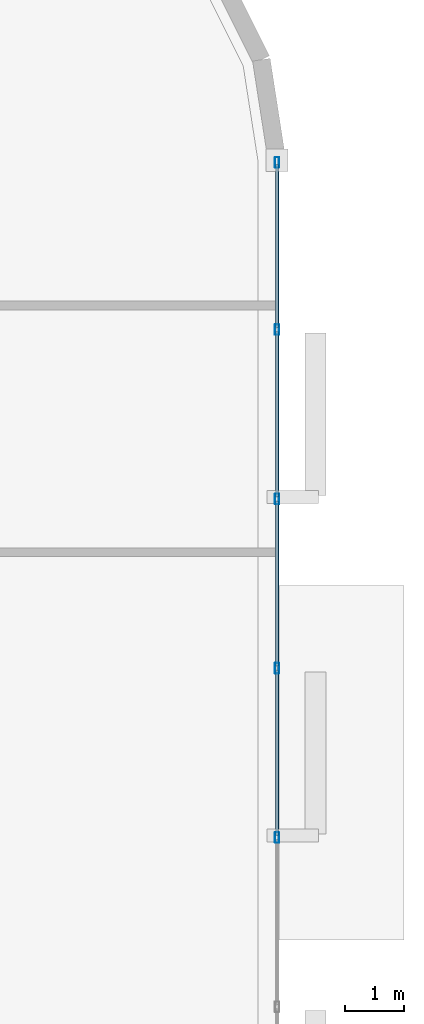
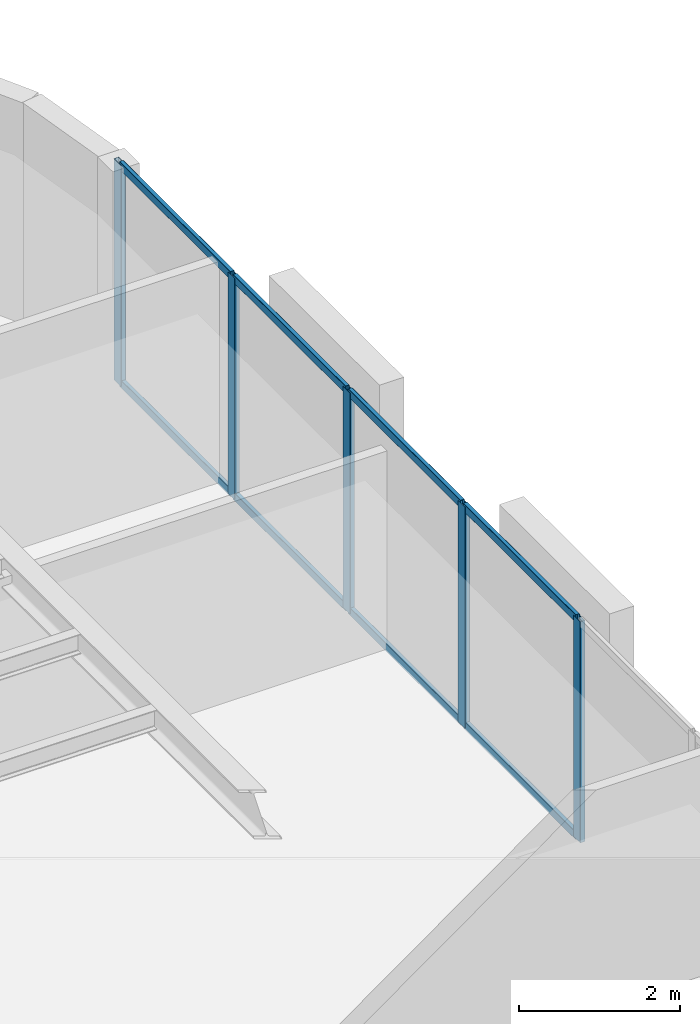
# One storey, part 6 of 15: 13 members, 1 element without a shape of its own.
"""IFC4 building model written with IfcOpenShell, lengths in metres."""

import ifcopenshell
import ifcopenshell.guid

model = None  # the IFC model being written
_history = None  # IfcOwnerHistory: only IFC2X3 demands one
_inside = {}  # id of a spatial element -> (the spatial element, [elements in it])
_under = {}  # id of a project, library or spatial element -> (it, [spatial elements below it])
_declared = {}  # id of a project -> (the project, [libraries it declares])
_typed = {}  # id of a type object -> (the type object, [elements of that type])
_made_of = {}  # id of a material, layer set ... -> (it, [elements and type objects made of it])


def new_model(schema):
    """Start an empty IFC model of exactly this schema.

    Asked for "IFC4X3", IfcOpenShell would pick the latest addendum, in which some entities
    have other attributes; the version numbers below select the first issue.
    IFC2X3 requires an IfcOwnerHistory on every rooted entity: one is made here for all.
    """
    global model, _history
    if schema == "IFC4X3":
        model = ifcopenshell.file(schema_version=(4, 3, 0, 0))
    else:
        model = ifcopenshell.file(schema=schema)
    _inside.clear()
    _under.clear()
    _declared.clear()
    _typed.clear()
    _made_of.clear()
    _history = None
    if model.schema == "IFC2X3":
        org = make("IfcOrganization", Name="unknown")
        user = make(
            "IfcPersonAndOrganization",
            ThePerson=make("IfcPerson", FamilyName="unknown"),
            TheOrganization=org,
        )
        app = make(
            "IfcApplication",
            ApplicationDeveloper=org,
            Version="unknown",
            ApplicationFullName="unknown",
            ApplicationIdentifier="unknown",
        )
        _history = make(
            "IfcOwnerHistory",
            OwningUser=user,
            OwningApplication=app,
            ChangeAction="ADDED",
            CreationDate=0,
        )
    return model


def make(cls, **values):
    """One entity of the class cls with the attributes given. An attribute that is None is left unset."""
    return model.create_entity(
        cls, **{name: value for name, value in values.items() if value is not None}
    )


def rooted(cls, **values):
    """An entity with a GlobalId (a new one), such as an element, a storey or a relation."""
    return make(cls, GlobalId=ifcopenshell.guid.new(), OwnerHistory=_history, **values)


def si_unit(unit_type, name, prefix=None):
    """IfcSIUnit, for example si_unit("LENGTHUNIT", "METRE", prefix="MILLI")."""
    return make("IfcSIUnit", UnitType=unit_type, Prefix=prefix, Name=name)


def assignment(units):
    """IfcUnitAssignment: the units of a project."""
    return None if units is None else make("IfcUnitAssignment", Units=units)


def point(xyz):
    """IfcCartesianPoint."""
    return None if xyz is None else make("IfcCartesianPoint", Coordinates=xyz)


def direction(xyz):
    """IfcDirection."""
    return None if xyz is None else make("IfcDirection", DirectionRatios=xyz)


def frame(location, z_axis=None, x_axis=None):
    """IfcAxis2Placement3D, a coordinate frame: its origin and axes. An axis left out is left unset."""
    return make(
        "IfcAxis2Placement3D",
        Location=point(location),
        Axis=direction(z_axis),
        RefDirection=direction(x_axis),
    )


def frame_2d(location, x_axis=None):
    """IfcAxis2Placement2D, a coordinate frame in the plane: its origin and x axis."""
    return make(
        "IfcAxis2Placement2D", Location=point(location), RefDirection=direction(x_axis)
    )


def origin():
    """The frame at (0, 0, 0) with its axes left unset."""
    return frame((0.0, 0.0, 0.0))


def origin_2d():
    """The frame at (0, 0) in the plane with its x axis left unset."""
    return frame_2d((0.0, 0.0))


def place(relative_to, where):
    """IfcLocalPlacement: puts the frame where relative to a parent placement (None: the world)."""
    return make(
        "IfcLocalPlacement", PlacementRelTo=relative_to, RelativePlacement=where
    )


def context(
    kind, dimensions, precision=None, world=None, true_north=None, identifier=None
):
    """IfcGeometricRepresentationContext, for example the 3D "Model" context."""
    return make(
        "IfcGeometricRepresentationContext",
        ContextIdentifier=identifier,
        ContextType=kind,
        CoordinateSpaceDimension=dimensions,
        Precision=precision,
        WorldCoordinateSystem=world,
        TrueNorth=true_north,
    )


def subcontext(parent, identifier, kind, view, scale=None):
    """IfcGeometricRepresentationSubContext, for example "Body" below "Model"."""
    return make(
        "IfcGeometricRepresentationSubContext",
        ContextIdentifier=identifier,
        ContextType=kind,
        ParentContext=parent,
        TargetScale=scale,
        TargetView=view,
    )


def project(units=None, contexts=None):
    """IfcProject with its units and contexts."""
    return rooted(
        "IfcProject",
        Name="project",
        RepresentationContexts=contexts,
        UnitsInContext=assignment(units),
    )


def spatial(cls, under=None, at=None, **own):
    """A site, building, storey or space (cls), placed at a placement, below another one or the project."""
    s = rooted(cls, ObjectPlacement=at, **own)
    if under is not None:
        _under.setdefault(under.id(), (under, []))[1].append(s)
    return s


def profile(cls, at=None, kind="AREA", **sizes):
    """A parametric profile (cls). Its sizes go by their IFC names, for example OverallWidth=200.0."""
    return make(cls, ProfileType=kind, Position=at, **sizes)


def hollow_rectangle(**sizes):
    """IfcRectangleHollowProfileDef."""
    return profile("IfcRectangleHollowProfileDef", **sizes)


def extrude(swept, where, along, depth):
    """IfcExtrudedAreaSolid: the profile swept, set in the frame where, extruded along a direction by depth."""
    return make(
        "IfcExtrudedAreaSolid",
        SweptArea=swept,
        Position=where,
        ExtrudedDirection=direction(along),
        Depth=depth,
    )


def shape(context_of_items, identifier, shape_type, items):
    """IfcShapeRepresentation: the items that make up one representation, for example the "Body"."""
    return make(
        "IfcShapeRepresentation",
        ContextOfItems=context_of_items,
        RepresentationIdentifier=identifier,
        RepresentationType=shape_type,
        Items=items,
    )


def material(Name=None, Category=None):
    """IfcMaterial."""
    return make("IfcMaterial", Name=Name, Category=Category)


def layer(
    of_material, thickness, ventilated=None, Name=None, Category=None, Priority=None
):
    """IfcMaterialLayer: one layer of a wall or slab, of a material (None: an air gap)."""
    return make(
        "IfcMaterialLayer",
        Material=of_material,
        LayerThickness=thickness,
        IsVentilated=ventilated,
        Name=Name,
        Category=Category,
        Priority=Priority,
    )


def layer_set(layers, Name=None):
    """IfcMaterialLayerSet."""
    return make("IfcMaterialLayerSet", MaterialLayers=layers, LayerSetName=Name)


def material_profile(
    of_material, cross_section, Name=None, Category=None, Priority=None
):
    """IfcMaterialProfile: a cross section and its material."""
    return make(
        "IfcMaterialProfile",
        Name=Name,
        Material=of_material,
        Profile=cross_section,
        Priority=Priority,
        Category=Category,
    )


def profile_set(profiles, Name=None, composite=None):
    """IfcMaterialProfileSet."""
    return make(
        "IfcMaterialProfileSet",
        Name=Name,
        MaterialProfiles=profiles,
        CompositeProfile=composite,
    )


def made_of(thing, what):
    """Note that an element or type object is made of a material, layer set ...; save() writes the relation."""
    if what is not None:
        _made_of.setdefault(what.id(), (what, []))[1].append(thing)
    return thing


def type_object(cls, material=None, **own):
    """A type object (cls), such as IfcWallType, which elements share."""
    return made_of(rooted(cls, **own), material)


def element(
    cls,
    number,
    at=None,
    inside=None,
    cuts=None,
    type_object=None,
    material=None,
    context=None,
    identifier="Body",
    shape_type=None,
    held_by="IfcProductDefinitionShape",
    body=None,
    shapes=None,
    **own,
):
    """One element of the class cls, such as IfcWall. Its Tag is "e" and its number.

    at: its placement. inside: the storey or other place that contains it. cuts: it is an
    opening in that element (IfcRelVoidsElement). A single representation is given by context,
    identifier, shape_type and body (its items); several are given by shapes. held_by: the class
    of the entity that holds the representations. save() writes the other relations.
    """
    e = rooted(cls, Tag="e%d" % number, ObjectPlacement=at, **own)
    if body is not None:
        shapes = [shape(context, identifier, shape_type, body)]
    if shapes is not None:
        e.Representation = make(held_by, Representations=shapes)
    if inside is not None:
        _inside.setdefault(inside.id(), (inside, []))[1].append(e)
    if cuts is not None:
        rooted(
            "IfcRelVoidsElement", RelatingBuildingElement=cuts, RelatedOpeningElement=e
        )
    if type_object is not None:
        _typed.setdefault(type_object.id(), (type_object, []))[1].append(e)
    return made_of(e, material)


def aggregate(whole, parts):
    """IfcRelAggregates: a whole, such as a stair, and the parts it consists of."""
    return rooted("IfcRelAggregates", RelatingObject=whole, RelatedObjects=parts)


def save(model, path):
    """Write the relations noted so far, then the file.

    IfcRelAggregates (storeys below a building ...), IfcRelContainedInSpatialStructure (elements
    in a storey), IfcRelDefinesByType, IfcRelAssociatesMaterial and IfcRelDeclares: one each for
    every whole, place, type object, material and project.
    """
    for whole, parts in _under.values():
        aggregate(whole, parts)
    for where, things in _inside.values():
        rooted(
            "IfcRelContainedInSpatialStructure",
            RelatedElements=things,
            RelatingStructure=where,
        )
    for kind, things in _typed.values():
        rooted("IfcRelDefinesByType", RelatedObjects=things, RelatingType=kind)
    for what, things in _made_of.values():
        rooted("IfcRelAssociatesMaterial", RelatedObjects=things, RelatingMaterial=what)
    for by, libraries in _declared.values():
        rooted("IfcRelDeclares", RelatingContext=by, RelatedDefinitions=libraries)
    model.write(path)


model = new_model("IFC4")

# Units and contexts
model_context = context("Model", 3, precision=1e-05, world=origin(), true_north=direction((0.0, 1.0)))
body_context = subcontext(model_context, "Body", "Model", "MODEL_VIEW")
ifc_project = project(units=[si_unit("LENGTHUNIT", "METRE"), si_unit("AREAUNIT", "SQUARE_METRE"), si_unit("VOLUMEUNIT", "CUBIC_METRE"), si_unit("PLANEANGLEUNIT", "RADIAN"), si_unit("MASSUNIT", "GRAM", prefix="KILO")], contexts=[model_context])

# Site, building, storey
site_placement = place(None, origin())
site = spatial("IfcSite", under=ifc_project, at=site_placement, CompositionType="ELEMENT")
building_placement = place(site_placement, origin())
building = spatial("IfcBuilding", under=site, at=building_placement, Name="An Khanh Terracotta Commons", CompositionType="ELEMENT")
storey_placement = place(building_placement, frame((0.0, 0.0, 129.5)))
storey = spatial("IfcBuildingStorey", under=building, at=storey_placement, Name="L34", CompositionType="ELEMENT", Elevation=129.5)

# Curtain wall, members
ifc_material = material(Name="Anodised Aluminium 6063-T6", Category="aluminium")
ifc_layer = layer(ifc_material, 0.199951171875, Name="Anodised Aluminium 6063-T6")
ifc_layer_set = layer_set([ifc_layer], Name="Anodised Aluminium 6063-T6")
curtain_wall_type = type_object("IfcCurtainWallType", Name="CW-SYS-02", PredefinedType="USERDEFINED", material=ifc_layer_set)
curtain_wall_placement = place(storey_placement, origin())
curtain_wall = element("IfcCurtainWall", 1, at=curtain_wall_placement, inside=storey, type_object=curtain_wall_type, Name="L34 CW-02 Unitised Curtain Wall CW-L34-12", ObjectType="UNITISED CURTAIN WALL", PredefinedType="USERDEFINED")
ifc_material_profile_1 = material_profile(ifc_material, hollow_rectangle(XDim=0.070068359375, YDim=0.179931640625, WallThickness=0.00390625, InnerFilletRadius=0.00390625, OuterFilletRadius=0.008056640625, at=origin_2d()), Name="RHS180x70x4")
ifc_profile_set_1 = profile_set([ifc_material_profile_1], Name="Anodised Aluminium 6063-T6")
member_type_1 = type_object("IfcMemberType", Name="CWM-RHS180x70x4", PredefinedType="MULLION", material=ifc_profile_set_1)
member_1_placement = place(storey_placement, frame((57.39990234375, 21.13330078125, 0.0), z_axis=(0.0, 0.0, 1.0), x_axis=(-1.0, 0.0, 0.0)))
member_1 = element("IfcMember", 2, at=member_1_placement, type_object=member_type_1, Name="CW-02 mullion 3", PredefinedType="MULLION", context=body_context, shape_type="SweptSolid", body=[
    extrude(hollow_rectangle(XDim=0.070068359375, YDim=0.179931640625, WallThickness=0.00390625, InnerFilletRadius=0.00390625, OuterFilletRadius=0.008056640625, at=origin_2d()), origin(), (0.0, 0.0, 1.0), 3.360107421875),
])
member_2_placement = place(storey_placement, frame((57.39990234375, 24.0, 0.0), z_axis=(0.0, 0.0, 1.0), x_axis=(-1.0, 0.0, 0.0)))
member_2 = element("IfcMember", 3, at=member_2_placement, type_object=member_type_1, Name="CW-02 mullion 4", PredefinedType="MULLION", context=body_context, shape_type="SweptSolid", body=[
    extrude(hollow_rectangle(XDim=0.070068359375, YDim=0.179931640625, WallThickness=0.00390625, InnerFilletRadius=0.00390625, OuterFilletRadius=0.008056640625, at=origin_2d()), origin(), (0.0, 0.0, 1.0), 3.360107421875),
])
member_3_placement = place(storey_placement, frame((57.39990234375, 26.86669921875, 0.0), z_axis=(0.0, 0.0, 1.0), x_axis=(-1.0, 0.0, 0.0)))
member_3 = element("IfcMember", 4, at=member_3_placement, type_object=member_type_1, Name="CW-02 mullion 5", PredefinedType="MULLION", context=body_context, shape_type="SweptSolid", body=[
    extrude(hollow_rectangle(XDim=0.070068359375, YDim=0.179931640625, WallThickness=0.00390625, InnerFilletRadius=0.00390625, OuterFilletRadius=0.008056640625, at=origin_2d()), origin(), (0.0, 0.0, 1.0), 3.360107421875),
])
member_4_placement = place(storey_placement, frame((57.39990234375, 29.7333984375, 0.0), z_axis=(0.0, 0.0, 1.0), x_axis=(-1.0, 0.0, 0.0)))
member_4 = element("IfcMember", 5, at=member_4_placement, type_object=member_type_1, Name="CW-02 mullion 6", PredefinedType="MULLION", context=body_context, shape_type="SweptSolid", body=[
    extrude(hollow_rectangle(XDim=0.070068359375, YDim=0.179931640625, WallThickness=0.00390625, InnerFilletRadius=0.00390625, OuterFilletRadius=0.008056640625, at=origin_2d()), origin(), (0.0, 0.0, 1.0), 3.360107421875),
])
member_5_placement = place(storey_placement, frame((57.39990234375, 32.56494140625, 0.0), z_axis=(0.0, 0.0, 1.0), x_axis=(-1.0, 0.0, 0.0)))
member_5 = element("IfcMember", 6, at=member_5_placement, type_object=member_type_1, Name="CW-02 mullion 7", PredefinedType="MULLION", context=body_context, shape_type="SweptSolid", body=[
    extrude(hollow_rectangle(XDim=0.070068359375, YDim=0.179931640625, WallThickness=0.00390625, InnerFilletRadius=0.00390625, OuterFilletRadius=0.008056640625, at=origin_2d()), origin(), (0.0, 0.0, 1.0), 3.360107421875),
])
ifc_material_profile_2 = material_profile(ifc_material, hollow_rectangle(XDim=0.06005859375, YDim=0.1201171875, WallThickness=0.003662109375, InnerFilletRadius=0.003662109375, OuterFilletRadius=0.007080078125, at=origin_2d()), Name="RHS120x60x3.6")
ifc_profile_set_2 = profile_set([ifc_material_profile_2], Name="Anodised Aluminium 6063-T6")
member_type_2 = type_object("IfcMemberType", Name="CWT-RHS120x60x3.6", PredefinedType="USERDEFINED", material=ifc_profile_set_2)
member_6_placement = place(storey_placement, frame((57.39990234375, 21.168212890625, 0.030029296875), z_axis=(0.0, 1.0, 0.0), x_axis=(-1.0, 0.0, 0.0)))
member_6 = element("IfcMember", 7, at=member_6_placement, type_object=member_type_2, Name="CW-02 transom 3.1", ObjectType="TRANSOM", PredefinedType="USERDEFINED", context=body_context, shape_type="SweptSolid", body=[
    extrude(hollow_rectangle(XDim=0.06005859375, YDim=0.1201171875, WallThickness=0.003662109375, InnerFilletRadius=0.003662109375, OuterFilletRadius=0.007080078125, at=origin_2d()), origin(), (0.0, 0.0, 1.0), 2.796875),
])
member_7_placement = place(storey_placement, frame((57.39990234375, 21.168212890625, 3.330078125), z_axis=(0.0, 1.0, 0.0), x_axis=(-1.0, 0.0, 0.0)))
member_7 = element("IfcMember", 8, at=member_7_placement, type_object=member_type_2, Name="CW-02 transom 3.2", ObjectType="TRANSOM", PredefinedType="USERDEFINED", context=body_context, shape_type="SweptSolid", body=[
    extrude(hollow_rectangle(XDim=0.06005859375, YDim=0.1201171875, WallThickness=0.003662109375, InnerFilletRadius=0.003662109375, OuterFilletRadius=0.007080078125, at=origin_2d()), origin(), (0.0, 0.0, 1.0), 2.796875),
])
member_8_placement = place(storey_placement, frame((57.39990234375, 24.034912109375, 0.030029296875), z_axis=(0.0, 1.0, 0.0), x_axis=(-1.0, 0.0, 0.0)))
member_8 = element("IfcMember", 9, at=member_8_placement, type_object=member_type_2, Name="CW-02 transom 4.1", ObjectType="TRANSOM", PredefinedType="USERDEFINED", context=body_context, shape_type="SweptSolid", body=[
    extrude(hollow_rectangle(XDim=0.06005859375, YDim=0.1201171875, WallThickness=0.003662109375, InnerFilletRadius=0.003662109375, OuterFilletRadius=0.007080078125, at=origin_2d()), origin(), (0.0, 0.0, 1.0), 2.796875),
])
member_9_placement = place(storey_placement, frame((57.39990234375, 24.034912109375, 3.330078125), z_axis=(0.0, 1.0, 0.0), x_axis=(-1.0, 0.0, 0.0)))
member_9 = element("IfcMember", 10, at=member_9_placement, type_object=member_type_2, Name="CW-02 transom 4.2", ObjectType="TRANSOM", PredefinedType="USERDEFINED", context=body_context, shape_type="SweptSolid", body=[
    extrude(hollow_rectangle(XDim=0.06005859375, YDim=0.1201171875, WallThickness=0.003662109375, InnerFilletRadius=0.003662109375, OuterFilletRadius=0.007080078125, at=origin_2d()), origin(), (0.0, 0.0, 1.0), 2.796875),
])
member_10_placement = place(storey_placement, frame((57.39990234375, 26.901611328125, 0.030029296875), z_axis=(0.0, 1.0, 0.0), x_axis=(-1.0, 0.0, 0.0)))
member_10 = element("IfcMember", 11, at=member_10_placement, type_object=member_type_2, Name="CW-02 transom 5.1", ObjectType="TRANSOM", PredefinedType="USERDEFINED", context=body_context, shape_type="SweptSolid", body=[
    extrude(hollow_rectangle(XDim=0.06005859375, YDim=0.1201171875, WallThickness=0.003662109375, InnerFilletRadius=0.003662109375, OuterFilletRadius=0.007080078125, at=origin_2d()), origin(), (0.0, 0.0, 1.0), 2.796630859375),
])
member_11_placement = place(storey_placement, frame((57.39990234375, 26.901611328125, 3.330078125), z_axis=(0.0, 1.0, 0.0), x_axis=(-1.0, 0.0, 0.0)))
member_11 = element("IfcMember", 12, at=member_11_placement, type_object=member_type_2, Name="CW-02 transom 5.2", ObjectType="TRANSOM", PredefinedType="USERDEFINED", context=body_context, shape_type="SweptSolid", body=[
    extrude(hollow_rectangle(XDim=0.06005859375, YDim=0.1201171875, WallThickness=0.003662109375, InnerFilletRadius=0.003662109375, OuterFilletRadius=0.007080078125, at=origin_2d()), origin(), (0.0, 0.0, 1.0), 2.796630859375),
])
member_12_placement = place(storey_placement, frame((57.39990234375, 29.768310546875, 0.030029296875), z_axis=(0.0, 1.0, 0.0), x_axis=(-1.0, 0.0, 0.0)))
member_12 = element("IfcMember", 13, at=member_12_placement, type_object=member_type_2, Name="CW-02 transom 6.1", ObjectType="TRANSOM", PredefinedType="USERDEFINED", context=body_context, shape_type="SweptSolid", body=[
    extrude(hollow_rectangle(XDim=0.06005859375, YDim=0.1201171875, WallThickness=0.003662109375, InnerFilletRadius=0.003662109375, OuterFilletRadius=0.007080078125, at=origin_2d()), origin(), (0.0, 0.0, 1.0), 2.76171875),
])
member_13_placement = place(storey_placement, frame((57.39990234375, 29.768310546875, 3.330078125), z_axis=(0.0, 1.0, 0.0), x_axis=(-1.0, 0.0, 0.0)))
member_13 = element("IfcMember", 14, at=member_13_placement, type_object=member_type_2, Name="CW-02 transom 6.2", ObjectType="TRANSOM", PredefinedType="USERDEFINED", context=body_context, shape_type="SweptSolid", body=[
    extrude(hollow_rectangle(XDim=0.06005859375, YDim=0.1201171875, WallThickness=0.003662109375, InnerFilletRadius=0.003662109375, OuterFilletRadius=0.007080078125, at=origin_2d()), origin(), (0.0, 0.0, 1.0), 2.76171875),
])
aggregate(curtain_wall, [member_1, member_2, member_3, member_4, member_5, member_6, member_7, member_8, member_9, member_10, member_11, member_12, member_13])

save(model, "model.ifc")
